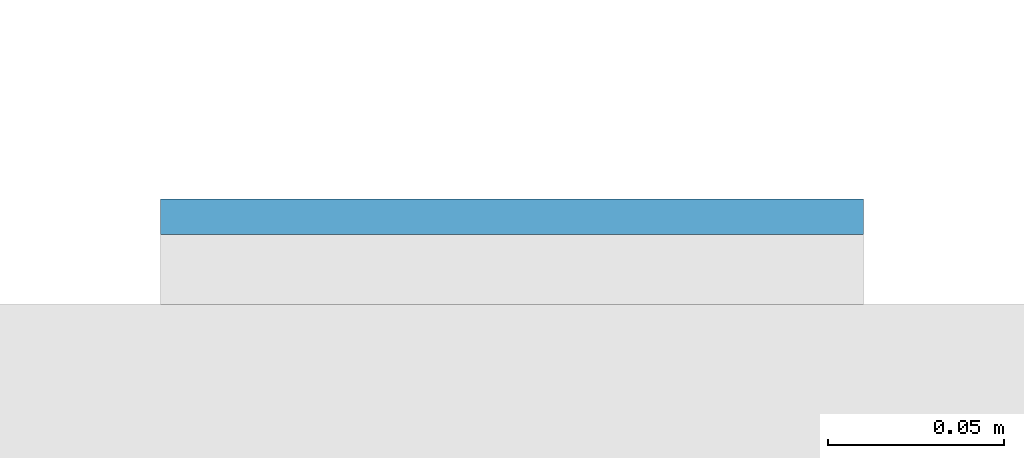
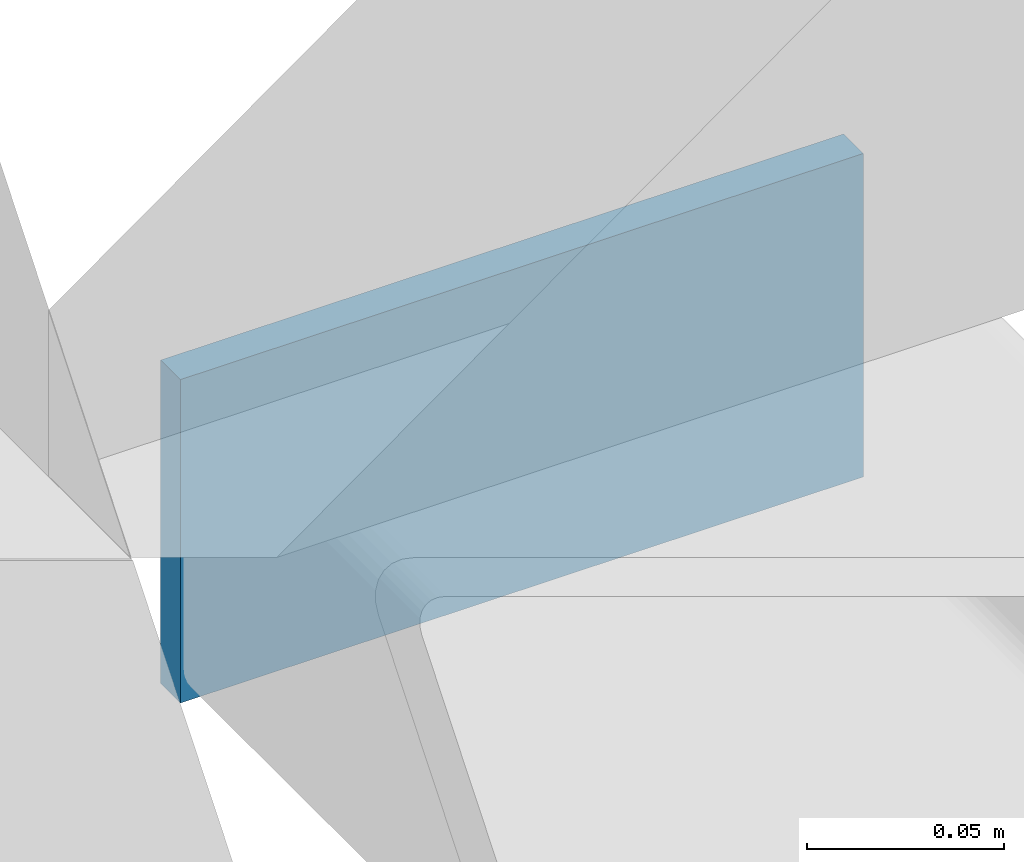
# One storey, part 11 of 20: 1 plate.
"""IFC4 building model written with IfcOpenShell, lengths in metres."""

from ifc_helpers import new_model, si_unit, direction, frame, origin, origin_2d, place, context, subcontext, project, spatial, rectangle, extrude, material, layer, layer_set, type_object, element, save


model = new_model("IFC4")

# Units and contexts
model_context = context("Model", 3, precision=1e-05, world=origin(), true_north=direction((0.0, 1.0)))
body_context = subcontext(model_context, "Body", "Model", "MODEL_VIEW")
ifc_project = project(units=[si_unit("LENGTHUNIT", "METRE"), si_unit("AREAUNIT", "SQUARE_METRE"), si_unit("VOLUMEUNIT", "CUBIC_METRE"), si_unit("PLANEANGLEUNIT", "RADIAN"), si_unit("MASSUNIT", "GRAM", prefix="KILO")], contexts=[model_context])

# Site, building, storey
site_placement = place(None, origin())
site = spatial("IfcSite", under=ifc_project, at=site_placement, CompositionType="ELEMENT")
building_placement = place(site_placement, origin())
building = spatial("IfcBuilding", under=site, at=building_placement, Name="Cleftline Residences", CompositionType="ELEMENT")
storey_placement = place(building_placement, frame((0.0, 0.0, 207.39990234375)))
storey = spatial("IfcBuildingStorey", under=building, at=storey_placement, Name="L54", CompositionType="ELEMENT", Elevation=207.39990234375)

# Plate
ifc_material = material(Name="Steel S355, hot-dip galvanised", Category="steel")
ifc_layer = layer(ifc_material, 0.010009765625)
ifc_layer_set = layer_set([ifc_layer], Name="BAGUETTE CARRIER END PLATE 200X100X10")
plate_type = type_object("IfcPlateType", Name="BAGUETTE CARRIER END PLATE 200X100X10", PredefinedType="USERDEFINED", material=ifc_layer_set)
plate_placement = place(storey_placement, frame((66.85009765625, 44.304931640625, -0.099853515625), z_axis=(0.0, 0.0, 1.0), x_axis=(1.0, 0.0, 0.0)))
element("IfcPlate", 1, at=plate_placement, inside=storey, type_object=plate_type, Name="Baguette carrier end plate", ObjectType="BAGUETTE CARRIER END PLATE", PredefinedType="USERDEFINED", context=body_context, shape_type="SweptSolid", body=[
    extrude(rectangle(XDim=0.199951171875, YDim=0.010009765625, at=origin_2d()), origin(), (0.0, 0.0, 1.0), 0.10009765625),
])

save(model, "model.ifc")
